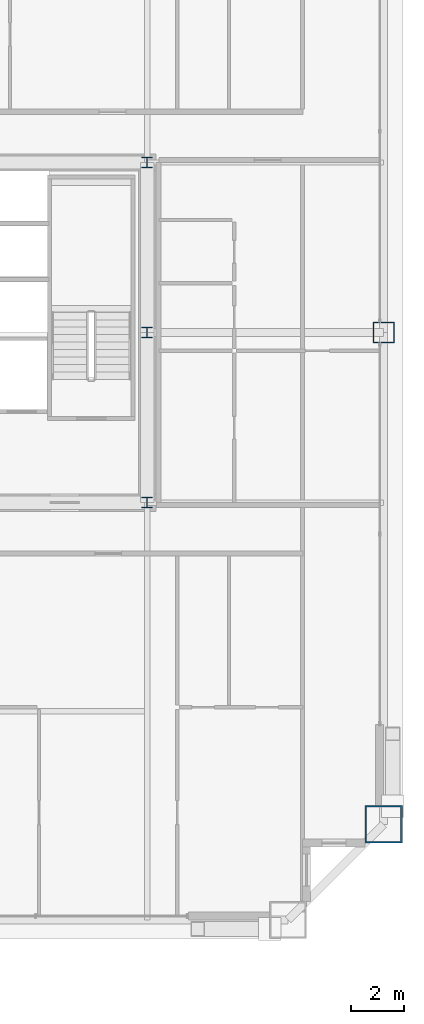
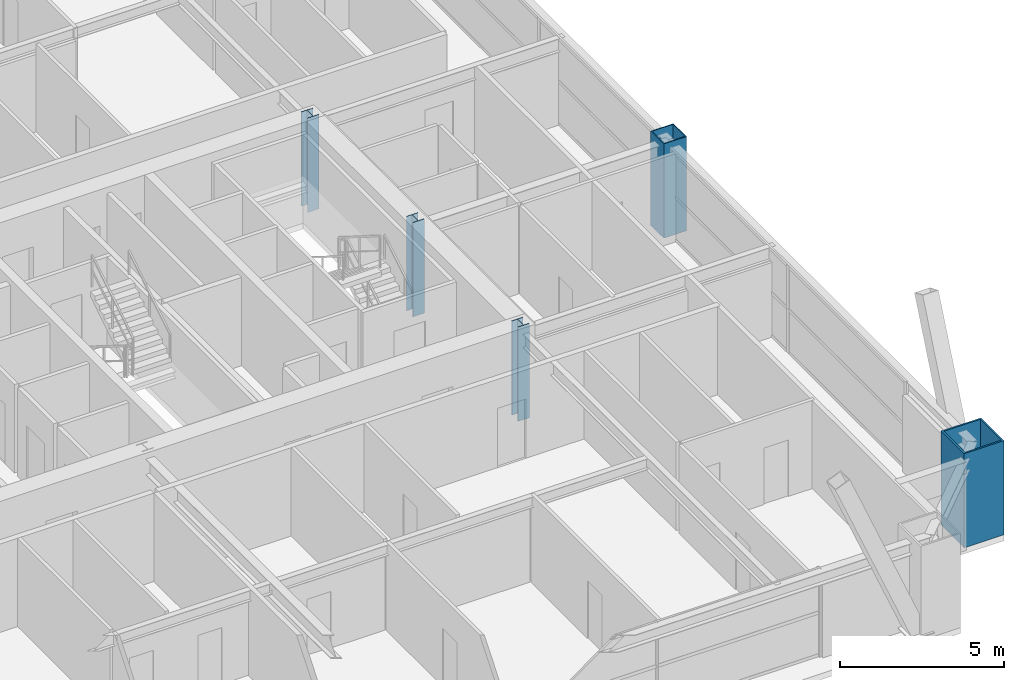
# One storey, part 2 of 45: 5 columns.
"""IFC4 building model written with IfcOpenShell, lengths in metres."""

from ifc_helpers import new_model, si_unit, direction, frame, origin, origin_2d, place, context, subcontext, project, spatial, hollow_rectangle, i_section, extrude, source, transform, mapped, material, material_profile, profile_set, type_object, element, save


model = new_model("IFC4")

# Units and contexts
model_context = context("Model", 3, precision=1e-05, world=origin(), true_north=direction((0.0, 1.0)))
body_context = subcontext(model_context, "Body", "Model", "MODEL_VIEW")
ifc_project = project(units=[si_unit("LENGTHUNIT", "METRE"), si_unit("AREAUNIT", "SQUARE_METRE"), si_unit("VOLUMEUNIT", "CUBIC_METRE"), si_unit("PLANEANGLEUNIT", "RADIAN"), si_unit("MASSUNIT", "GRAM", prefix="KILO"), si_unit("THERMODYNAMICTEMPERATUREUNIT", "KELVIN"), si_unit("POWERUNIT", "WATT")], contexts=[model_context])

# Site, building, storey
site_placement = place(None, origin())
site = spatial("IfcSite", under=ifc_project, at=site_placement, CompositionType="ELEMENT")
building_placement = place(site_placement, origin())
building = spatial("IfcBuilding", under=site, at=building_placement, Name="Yuzanri Waterfront Tower", CompositionType="ELEMENT")
storey_placement = place(building_placement, frame((0.0, 0.0, 198.5)))
storey = spatial("IfcBuildingStorey", under=building, at=storey_placement, Name="L52", CompositionType="ELEMENT", Elevation=198.5)

# Columns
ifc_material_1 = material(Name="Steel Q355B", Category="steel")
ifc_material_profile_1 = material_profile(ifc_material_1, i_section(OverallWidth=0.39990234375, OverallDepth=0.39990234375, WebThickness=0.012939453125, FlangeThickness=0.02099609375, at=origin_2d()), Name="HW 400x400x13x21")
ifc_profile_set_1 = profile_set([ifc_material_profile_1], Name="Steel Q355B")
column_type_1 = type_object("IfcColumnType", Name="Core Post Q355B HW 400x400x13x21", PredefinedType="COLUMN", material=ifc_profile_set_1)
shared_shape_1 = source(origin(), body_context, "Body", "SweptSolid", [
    extrude(i_section(OverallWidth=0.39990234375, OverallDepth=0.39990234375, WebThickness=0.012939453125, FlangeThickness=0.02099609375, at=origin_2d()), origin(), (0.0, 0.0, 1.0), 3.5),
])
for number, where, z_axis, x_axis, name in (
    (1, (50.199951171875, 19.39990234375, 0.0), (0.0, 0.0, 1.0), (1.0, 0.0, 0.0), "L52 Core Boundary Column CP3"),
    (2, (50.199951171875, 25.800048828125, 0.0), (0.0, 0.0, 1.0), (1.0, 0.0, 0.0), "L52 Core Boundary Column CP5"),
    (3, (50.199951171875, 32.199951171875, 0.0), (0.0, 0.0, 1.0), (1.0, 0.0, 0.0), "L52 Core Boundary Column CP8"),
):
    element("IfcColumn", number, at=place(storey_placement, frame(where, z_axis=z_axis, x_axis=x_axis)), inside=storey, type_object=column_type_1, Name=name, PredefinedType="COLUMN", context=body_context, shape_type="MappedRepresentation", body=[
        mapped(shared_shape_1, transform((0.0, 0.0, 0.0), scale=1.0)),
    ])
ifc_material_2 = material(Name="Steel Q420GJC", Category="steel")
ifc_material_profile_2 = material_profile(ifc_material_2, hollow_rectangle(XDim=1.39990234375, YDim=1.39990234375, WallThickness=0.06005859375, at=origin_2d()), Name="RHS 1400x1400x60")
ifc_profile_set_2 = profile_set([ifc_material_profile_2], Name="Steel Q420GJC")
column_type_2 = type_object("IfcColumnType", Name="Mega Column Q420GJC RHS 1400x1400x60", PredefinedType="COLUMN", material=ifc_profile_set_2)
shared_shape_2 = source(origin(), body_context, "Body", "SweptSolid", [
    extrude(hollow_rectangle(XDim=1.39990234375, YDim=1.39990234375, WallThickness=0.06005859375, at=origin_2d()), origin(), (0.0, 0.0, 1.0), 3.5),
])
column_1_placement = place(storey_placement, frame((59.10009765625, 7.300048828125, 0.0), z_axis=(0.0, 0.0, 1.0), x_axis=(1.0, 0.0, 0.0)))
element("IfcColumn", 4, at=column_1_placement, inside=storey, type_object=column_type_2, Name="L52 Perimeter Mega Column E1", PredefinedType="COLUMN", context=body_context, shape_type="MappedRepresentation", body=[
    mapped(shared_shape_2, transform((0.0, 0.0, 0.0), scale=1.0)),
])
ifc_material_3 = material(Name="Steel Q390GJC", Category="steel")
ifc_material_profile_3 = material_profile(ifc_material_3, hollow_rectangle(XDim=0.800048828125, YDim=0.800048828125, WallThickness=0.035888671875, at=origin_2d()), Name="RHS 800x800x36")
ifc_profile_set_3 = profile_set([ifc_material_profile_3], Name="Steel Q390GJC")
column_type_3 = type_object("IfcColumnType", Name="Frame Column Q390GJC RHS 800x800x36", PredefinedType="COLUMN", material=ifc_profile_set_3)
shared_shape_3 = source(origin(), body_context, "Body", "SweptSolid", [
    extrude(hollow_rectangle(XDim=0.800048828125, YDim=0.800048828125, WallThickness=0.035888671875, at=origin_2d()), origin(), (0.0, 0.0, 1.0), 3.5),
])
column_2_placement = place(storey_placement, frame((59.10009765625, 25.800048828125, 0.0), z_axis=(0.0, 0.0, 1.0), x_axis=(1.0, 0.0, 0.0)))
element("IfcColumn", 5, at=column_2_placement, inside=storey, type_object=column_type_3, Name="L52 Perimeter Frame Column E2", PredefinedType="COLUMN", context=body_context, shape_type="MappedRepresentation", body=[
    mapped(shared_shape_3, transform((0.0, 0.0, 0.0), scale=1.0)),
])

save(model, "model.ifc")
